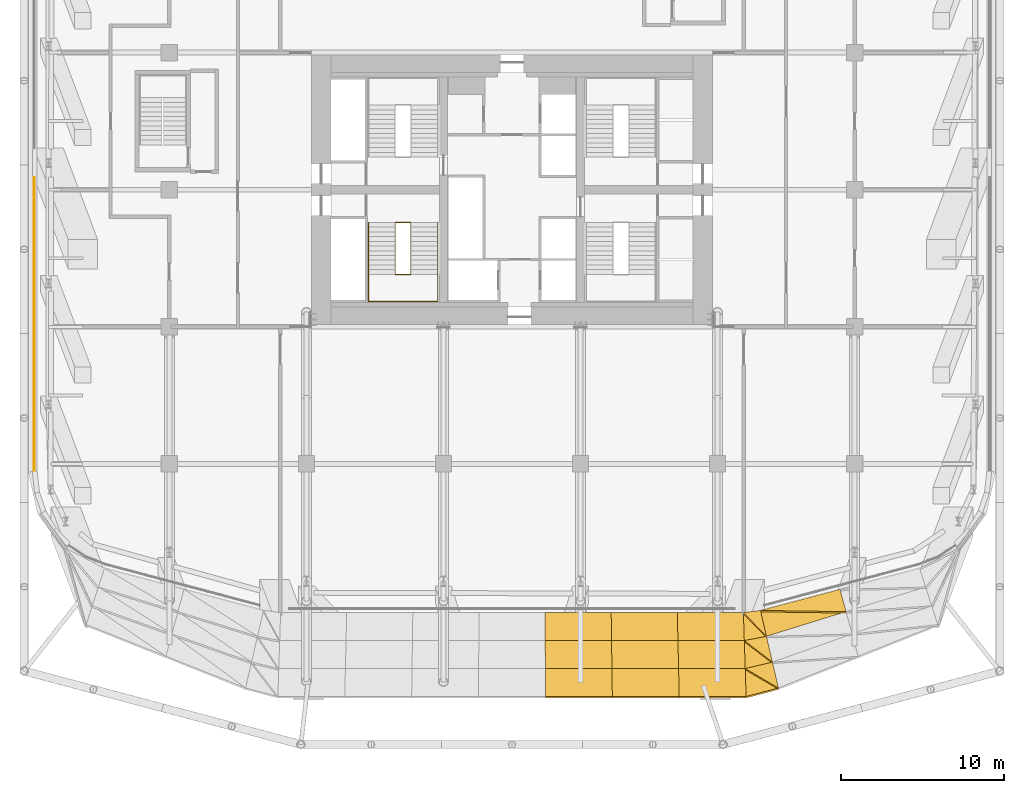
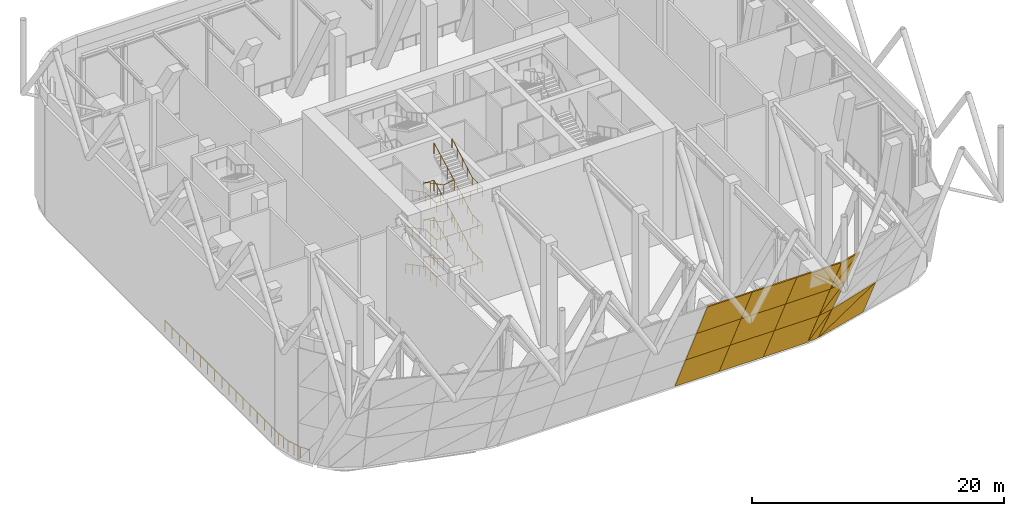
# One storey, part 15 of 19: 17 shading devices, 7 railings.
"""IFC4 building model written with IfcOpenShell, lengths in metres."""

from ifc_helpers import new_model, si_unit, direction, frame, origin, origin_2d, place, context, subcontext, project, spatial, polyline, circle, outline, extrude, material, layer, layer_set, type_object, element, save


model = new_model("IFC4")

# Units and contexts
model_context = context("Model", 3, precision=1e-05, world=origin(), true_north=direction((0.0, 1.0)))
body_context = subcontext(model_context, "Body", "Model", "MODEL_VIEW")
ifc_project = project(units=[si_unit("LENGTHUNIT", "METRE"), si_unit("AREAUNIT", "SQUARE_METRE"), si_unit("VOLUMEUNIT", "CUBIC_METRE"), si_unit("PLANEANGLEUNIT", "RADIAN"), si_unit("MASSUNIT", "GRAM", prefix="KILO")], contexts=[model_context])

# Site, building, storey
site_placement = place(None, origin())
site = spatial("IfcSite", under=ifc_project, at=site_placement, CompositionType="ELEMENT")
building_placement = place(site_placement, origin())
building = spatial("IfcBuilding", under=site, at=building_placement, Name="Marenta Gate Hotel Tower", CompositionType="ELEMENT")
storey_placement = place(building_placement, frame((0.0, 0.0, 86.89990234375)))
storey = spatial("IfcBuildingStorey", under=building, at=storey_placement, Name="L20", CompositionType="ELEMENT", Elevation=86.89990234375)

# Railings
ifc_material_1 = material(Name="Stainless steel", Category="steel")
railing_type_1 = type_object("IfcRailingType", Name="Core stair handrail 950", PredefinedType="HANDRAIL", material=ifc_material_1)
railing_1_placement = place(storey_placement, frame((-8.800048828125, 6.39990234375, 0.150146484375)))
element("IfcRailing", 1, at=railing_1_placement, inside=storey, type_object=railing_type_1, Name="HR-950 L20-KR-ST1-1", PredefinedType="HANDRAIL", context=body_context, shape_type="SweptSolid", body=[
    extrude(circle(Radius=0.02392578125, at=origin_2d()), frame((0.0, 0.0, 0.92578125), z_axis=(0.0, -0.888225295554, 0.459408123936), x_axis=(1.0, 0.0, 0.0)), (0.0, 0.0, 1.0), 3.59130859375),
    extrude(circle(Radius=0.02392578125, at=origin_2d()), frame((0.0, -3.18994140625, 2.57568359375), z_axis=(0.0, -1.0, 0.0), x_axis=(1.0, 0.0, 0.0)), (0.0, 0.0, 1.0), 1.659912109375),
    extrude(circle(Radius=0.02392578125, at=origin_2d()), frame((0.0, -4.849853515625, 2.57568359375), z_axis=(1.0, 0.0, 0.0), x_axis=(0.0, 1.0, 0.0)), (0.0, 0.0, 1.0), 4.25),
    extrude(circle(Radius=0.02392578125, at=origin_2d()), frame((4.25, -4.849853515625, 2.57568359375), z_axis=(0.0, 1.0, 0.0), x_axis=(-1.0, 0.0, 0.0)), (0.0, 0.0, 1.0), 1.659912109375),
    extrude(circle(Radius=0.02392578125, at=origin_2d()), frame((4.25, -3.18994140625, 2.57568359375), z_axis=(0.0, 0.87090897868, 0.491444351738), x_axis=(-1.0, 0.0, 0.0)), (0.0, 0.0, 1.0), 3.662841796875),
    extrude(circle(Radius=0.02099609375, at=origin_2d()), origin(), (0.0, 0.0, 1.0), 0.90185546875),
    extrude(circle(Radius=0.02099609375, at=origin_2d()), frame((0.0, -1.063232421875, 0.550048828125)), (0.0, 0.0, 1.0), 0.90185546875),
    extrude(circle(Radius=0.02099609375, at=origin_2d()), frame((0.0, -2.126708984375, 1.099853515625)), (0.0, 0.0, 1.0), 0.90185546875),
    extrude(circle(Radius=0.02099609375, at=origin_2d()), frame((0.0, -3.18994140625, 1.64990234375)), (0.0, 0.0, 1.0), 0.90185546875),
    extrude(circle(Radius=0.02099609375, at=origin_2d()), frame((0.0, -4.02001953125, 1.64990234375)), (0.0, 0.0, 1.0), 0.90185546875),
    extrude(circle(Radius=0.02099609375, at=origin_2d()), frame((0.0, -4.849853515625, 1.64990234375)), (0.0, 0.0, 1.0), 0.90185546875),
    extrude(circle(Radius=0.02099609375, at=origin_2d()), frame((1.0625, -4.849853515625, 1.64990234375)), (0.0, 0.0, 1.0), 0.90185546875),
    extrude(circle(Radius=0.02099609375, at=origin_2d()), frame((2.125, -4.849853515625, 1.64990234375)), (0.0, 0.0, 1.0), 0.90185546875),
    extrude(circle(Radius=0.02099609375, at=origin_2d()), frame((3.1875, -4.849853515625, 1.64990234375)), (0.0, 0.0, 1.0), 0.90185546875),
    extrude(circle(Radius=0.02099609375, at=origin_2d()), frame((4.25, -4.849853515625, 1.64990234375)), (0.0, 0.0, 1.0), 0.90185546875),
    extrude(circle(Radius=0.02099609375, at=origin_2d()), frame((4.25, -4.02001953125, 1.64990234375)), (0.0, 0.0, 1.0), 0.90185546875),
    extrude(circle(Radius=0.02099609375, at=origin_2d()), frame((4.25, -3.18994140625, 1.64990234375)), (0.0, 0.0, 1.0), 0.90185546875),
    extrude(circle(Radius=0.02099609375, at=origin_2d()), frame((4.25, -2.392578125, 2.099853515625)), (0.0, 0.0, 1.0), 0.90185546875),
    extrude(circle(Radius=0.02099609375, at=origin_2d()), frame((4.25, -1.594970703125, 2.5498046875)), (0.0, 0.0, 1.0), 0.90185546875),
    extrude(circle(Radius=0.02099609375, at=origin_2d()), frame((4.25, -0.79736328125, 3.0)), (0.0, 0.0, 1.0), 0.90185546875),
    extrude(circle(Radius=0.02099609375, at=origin_2d()), frame((4.25, 0.0, 3.449951171875)), (0.0, 0.0, 1.0), 0.90185546875),
])
railing_2_placement = place(storey_placement, frame((-8.800048828125, 6.39990234375, 3.75)))
element("IfcRailing", 2, at=railing_2_placement, inside=storey, type_object=railing_type_1, Name="HR-950 L20-KR-ST1-3", PredefinedType="HANDRAIL", context=body_context, shape_type="SweptSolid", body=[
    extrude(circle(Radius=0.02392578125, at=origin_2d()), frame((0.0, 0.0, 0.92578125), z_axis=(0.0, -0.888197555067, 0.459461753765), x_axis=(1.0, 0.0, 0.0)), (0.0, 0.0, 1.0), 3.591552734375),
    extrude(circle(Radius=0.02392578125, at=origin_2d()), frame((0.0, -3.18994140625, 2.576171875), z_axis=(0.0, -1.0, 0.0), x_axis=(1.0, 0.0, 0.0)), (0.0, 0.0, 1.0), 1.659912109375),
    extrude(circle(Radius=0.02392578125, at=origin_2d()), frame((0.0, -4.849853515625, 2.576171875), z_axis=(1.0, 0.0, 0.0), x_axis=(0.0, 1.0, 0.0)), (0.0, 0.0, 1.0), 4.25),
    extrude(circle(Radius=0.02392578125, at=origin_2d()), frame((4.25, -4.849853515625, 2.576171875), z_axis=(0.0, 1.0, 0.0), x_axis=(-1.0, 0.0, 0.0)), (0.0, 0.0, 1.0), 1.659912109375),
    extrude(circle(Radius=0.02392578125, at=origin_2d()), frame((4.25, -3.18994140625, 2.576171875), z_axis=(0.0, 0.87090897868, 0.491444351738), x_axis=(-1.0, 0.0, 0.0)), (0.0, 0.0, 1.0), 3.662841796875),
    extrude(circle(Radius=0.02099609375, at=origin_2d()), origin(), (0.0, 0.0, 1.0), 0.90185546875),
    extrude(circle(Radius=0.02099609375, at=origin_2d()), frame((0.0, -1.063232421875, 0.550048828125)), (0.0, 0.0, 1.0), 0.90185546875),
    extrude(circle(Radius=0.02099609375, at=origin_2d()), frame((0.0, -2.126708984375, 1.10009765625)), (0.0, 0.0, 1.0), 0.90185546875),
    extrude(circle(Radius=0.02099609375, at=origin_2d()), frame((0.0, -3.18994140625, 1.650146484375)), (0.0, 0.0, 1.0), 0.90185546875),
    extrude(circle(Radius=0.02099609375, at=origin_2d()), frame((0.0, -4.02001953125, 1.650146484375)), (0.0, 0.0, 1.0), 0.90185546875),
    extrude(circle(Radius=0.02099609375, at=origin_2d()), frame((0.0, -4.849853515625, 1.650146484375)), (0.0, 0.0, 1.0), 0.90185546875),
    extrude(circle(Radius=0.02099609375, at=origin_2d()), frame((1.0625, -4.849853515625, 1.650146484375)), (0.0, 0.0, 1.0), 0.90185546875),
    extrude(circle(Radius=0.02099609375, at=origin_2d()), frame((2.125, -4.849853515625, 1.650146484375)), (0.0, 0.0, 1.0), 0.90185546875),
    extrude(circle(Radius=0.02099609375, at=origin_2d()), frame((3.1875, -4.849853515625, 1.650146484375)), (0.0, 0.0, 1.0), 0.90185546875),
    extrude(circle(Radius=0.02099609375, at=origin_2d()), frame((4.25, -4.849853515625, 1.650146484375)), (0.0, 0.0, 1.0), 0.90185546875),
    extrude(circle(Radius=0.02099609375, at=origin_2d()), frame((4.25, -4.02001953125, 1.650146484375)), (0.0, 0.0, 1.0), 0.90185546875),
    extrude(circle(Radius=0.02099609375, at=origin_2d()), frame((4.25, -3.18994140625, 1.650146484375)), (0.0, 0.0, 1.0), 0.90185546875),
    extrude(circle(Radius=0.02099609375, at=origin_2d()), frame((4.25, -2.392578125, 2.10009765625)), (0.0, 0.0, 1.0), 0.90185546875),
    extrude(circle(Radius=0.02099609375, at=origin_2d()), frame((4.25, -1.594970703125, 2.55029296875)), (0.0, 0.0, 1.0), 0.90185546875),
    extrude(circle(Radius=0.02099609375, at=origin_2d()), frame((4.25, -0.79736328125, 3.000244140625)), (0.0, 0.0, 1.0), 0.90185546875),
    extrude(circle(Radius=0.02099609375, at=origin_2d()), frame((4.25, 0.0, 3.4501953125)), (0.0, 0.0, 1.0), 0.90185546875),
])
railing_3_placement = place(storey_placement, frame((-8.800048828125, 6.39990234375, 7.35009765625)))
element("IfcRailing", 3, at=railing_3_placement, inside=storey, type_object=railing_type_1, Name="HR-950 L20-KR-ST1-5", PredefinedType="HANDRAIL", context=body_context, shape_type="SweptSolid", body=[
    extrude(circle(Radius=0.02392578125, at=origin_2d()), frame((0.0, 0.0, 0.92578125), z_axis=(0.0, -0.888225295554, 0.459408123936), x_axis=(1.0, 0.0, 0.0)), (0.0, 0.0, 1.0), 3.59130859375),
    extrude(circle(Radius=0.02392578125, at=origin_2d()), frame((0.0, -3.18994140625, 2.57568359375), z_axis=(0.0, -1.0, 0.0), x_axis=(1.0, 0.0, 0.0)), (0.0, 0.0, 1.0), 1.659912109375),
    extrude(circle(Radius=0.02392578125, at=origin_2d()), frame((0.0, -4.849853515625, 2.57568359375), z_axis=(1.0, 0.0, 0.0), x_axis=(0.0, 1.0, 0.0)), (0.0, 0.0, 1.0), 4.25),
    extrude(circle(Radius=0.02392578125, at=origin_2d()), frame((4.25, -4.849853515625, 2.57568359375), z_axis=(0.0, 1.0, 0.0), x_axis=(-1.0, 0.0, 0.0)), (0.0, 0.0, 1.0), 1.659912109375),
    extrude(circle(Radius=0.02392578125, at=origin_2d()), frame((4.25, -3.18994140625, 2.57568359375), z_axis=(0.0, 0.87090897868, 0.491444351738), x_axis=(-1.0, 0.0, 0.0)), (0.0, 0.0, 1.0), 3.662841796875),
    extrude(circle(Radius=0.02099609375, at=origin_2d()), origin(), (0.0, 0.0, 1.0), 0.90185546875),
    extrude(circle(Radius=0.02099609375, at=origin_2d()), frame((0.0, -1.063232421875, 0.550048828125)), (0.0, 0.0, 1.0), 0.90185546875),
    extrude(circle(Radius=0.02099609375, at=origin_2d()), frame((0.0, -2.126708984375, 1.099853515625)), (0.0, 0.0, 1.0), 0.90185546875),
    extrude(circle(Radius=0.02099609375, at=origin_2d()), frame((0.0, -3.18994140625, 1.64990234375)), (0.0, 0.0, 1.0), 0.90185546875),
    extrude(circle(Radius=0.02099609375, at=origin_2d()), frame((0.0, -4.02001953125, 1.64990234375)), (0.0, 0.0, 1.0), 0.90185546875),
    extrude(circle(Radius=0.02099609375, at=origin_2d()), frame((0.0, -4.849853515625, 1.64990234375)), (0.0, 0.0, 1.0), 0.90185546875),
    extrude(circle(Radius=0.02099609375, at=origin_2d()), frame((1.0625, -4.849853515625, 1.64990234375)), (0.0, 0.0, 1.0), 0.90185546875),
    extrude(circle(Radius=0.02099609375, at=origin_2d()), frame((2.125, -4.849853515625, 1.64990234375)), (0.0, 0.0, 1.0), 0.90185546875),
    extrude(circle(Radius=0.02099609375, at=origin_2d()), frame((3.1875, -4.849853515625, 1.64990234375)), (0.0, 0.0, 1.0), 0.90185546875),
    extrude(circle(Radius=0.02099609375, at=origin_2d()), frame((4.25, -4.849853515625, 1.64990234375)), (0.0, 0.0, 1.0), 0.90185546875),
    extrude(circle(Radius=0.02099609375, at=origin_2d()), frame((4.25, -4.02001953125, 1.64990234375)), (0.0, 0.0, 1.0), 0.90185546875),
    extrude(circle(Radius=0.02099609375, at=origin_2d()), frame((4.25, -3.18994140625, 1.64990234375)), (0.0, 0.0, 1.0), 0.90185546875),
    extrude(circle(Radius=0.02099609375, at=origin_2d()), frame((4.25, -2.392578125, 2.099853515625)), (0.0, 0.0, 1.0), 0.90185546875),
    extrude(circle(Radius=0.02099609375, at=origin_2d()), frame((4.25, -1.594970703125, 2.5498046875)), (0.0, 0.0, 1.0), 0.90185546875),
    extrude(circle(Radius=0.02099609375, at=origin_2d()), frame((4.25, -0.79736328125, 3.0)), (0.0, 0.0, 1.0), 0.90185546875),
    extrude(circle(Radius=0.02099609375, at=origin_2d()), frame((4.25, 0.0, 3.449951171875)), (0.0, 0.0, 1.0), 0.90185546875),
])
ifc_material_2 = material(Name="Stainless steel", Category="steel")
railing_type_2 = type_object("IfcRailingType", Name="Core stair well guard 1100", PredefinedType="GUARDRAIL", material=ifc_material_2)
railing_4_placement = place(storey_placement, frame((-6.199951171875, 6.39990234375, 0.0)))
element("IfcRailing", 4, at=railing_4_placement, inside=storey, type_object=railing_type_2, Name="GR-1100 L20-KR-ST1-2", PredefinedType="GUARDRAIL", context=body_context, shape_type="SweptSolid", body=[
    extrude(circle(Radius=0.02392578125, at=origin_2d()), frame((0.0, 0.0, 1.076171875), z_axis=(-1.0, 0.0, 0.0), x_axis=(0.0, -1.0, 0.0)), (0.0, 0.0, 1.0), 0.949951171875),
    extrude(circle(Radius=0.02392578125, at=origin_2d()), frame((-0.949951171875, 0.0, 1.076171875), z_axis=(0.0, 0.0, 1.0), x_axis=(1.0, 0.0, 0.0)), (0.0, 0.0, 1.0), 0.150146484375),
    extrude(circle(Radius=0.02392578125, at=origin_2d()), frame((-0.949951171875, 0.0, 1.22607421875), z_axis=(0.0, -0.888225295554, 0.459408123936), x_axis=(1.0, 0.0, 0.0)), (0.0, 0.0, 1.0), 3.59130859375),
    extrude(circle(Radius=0.02392578125, at=origin_2d()), frame((-0.949951171875, -3.18994140625, 2.8759765625), z_axis=(0.987738253826, 0.0, 0.156118999255), x_axis=(0.0, 1.0, 0.0)), (0.0, 0.0, 1.0), 0.961669921875),
    extrude(circle(Radius=0.02392578125, at=origin_2d()), frame((0.0, -3.18994140625, 3.0263671875), z_axis=(0.0, 0.888225295554, 0.459408123936), x_axis=(-1.0, 0.0, 0.0)), (0.0, 0.0, 1.0), 3.59130859375),
    extrude(circle(Radius=0.02099609375, at=origin_2d()), origin(), (0.0, 0.0, 1.0), 1.052001953125),
    extrude(circle(Radius=0.02099609375, at=origin_2d()), frame((-0.949951171875, 0.0, 0.0)), (0.0, 0.0, 1.0), 1.052001953125),
    extrude(circle(Radius=0.02099609375, at=origin_2d()), frame((-0.949951171875, 0.0, 0.150146484375)), (0.0, 0.0, 1.0), 1.052001953125),
    extrude(circle(Radius=0.02099609375, at=origin_2d()), frame((-0.949951171875, -1.063232421875, 0.7001953125)), (0.0, 0.0, 1.0), 1.052001953125),
    extrude(circle(Radius=0.02099609375, at=origin_2d()), frame((-0.949951171875, -2.126708984375, 1.25)), (0.0, 0.0, 1.0), 1.052001953125),
    extrude(circle(Radius=0.02099609375, at=origin_2d()), frame((-0.949951171875, -3.18994140625, 1.800048828125)), (0.0, 0.0, 1.0), 1.052001953125),
    extrude(circle(Radius=0.02099609375, at=origin_2d()), frame((0.0, -3.18994140625, 1.9501953125)), (0.0, 0.0, 1.0), 1.052001953125),
    extrude(circle(Radius=0.02099609375, at=origin_2d()), frame((0.0, -2.126708984375, 2.500244140625)), (0.0, 0.0, 1.0), 1.052001953125),
    extrude(circle(Radius=0.02099609375, at=origin_2d()), frame((0.0, -1.063232421875, 3.050048828125)), (0.0, 0.0, 1.0), 1.052001953125),
    extrude(circle(Radius=0.02099609375, at=origin_2d()), frame((0.0, 0.0, 3.60009765625)), (0.0, 0.0, 1.0), 1.052001953125),
])
railing_5_placement = place(storey_placement, frame((-6.199951171875, 6.39990234375, 3.60009765625)))
element("IfcRailing", 5, at=railing_5_placement, inside=storey, type_object=railing_type_2, Name="GR-1100 L20-KR-ST1-4", PredefinedType="GUARDRAIL", context=body_context, shape_type="SweptSolid", body=[
    extrude(circle(Radius=0.02392578125, at=origin_2d()), frame((0.0, 0.0, 1.076171875), z_axis=(-1.0, 0.0, 0.0), x_axis=(0.0, -1.0, 0.0)), (0.0, 0.0, 1.0), 0.949951171875),
    extrude(circle(Radius=0.02392578125, at=origin_2d()), frame((-0.949951171875, 0.0, 1.076171875), z_axis=(0.0, 0.0, 1.0), x_axis=(1.0, 0.0, 0.0)), (0.0, 0.0, 1.0), 0.14990234375),
    extrude(circle(Radius=0.02392578125, at=origin_2d()), frame((-0.949951171875, 0.0, 1.22607421875), z_axis=(0.0, -0.888197555067, 0.459461753765), x_axis=(1.0, 0.0, 0.0)), (0.0, 0.0, 1.0), 3.591552734375),
    extrude(circle(Radius=0.02392578125, at=origin_2d()), frame((-0.949951171875, -3.18994140625, 2.8759765625), z_axis=(0.987777369502, 0.0, 0.15587131968), x_axis=(0.0, 1.0, 0.0)), (0.0, 0.0, 1.0), 0.961669921875),
    extrude(circle(Radius=0.02392578125, at=origin_2d()), frame((0.0, -3.18994140625, 3.02587890625), z_axis=(0.0, 0.888197555067, 0.459461753765), x_axis=(-1.0, 0.0, 0.0)), (0.0, 0.0, 1.0), 3.591552734375),
    extrude(circle(Radius=0.02099609375, at=origin_2d()), origin(), (0.0, 0.0, 1.0), 1.052001953125),
    extrude(circle(Radius=0.02099609375, at=origin_2d()), frame((-0.949951171875, 0.0, 0.0)), (0.0, 0.0, 1.0), 1.052001953125),
    extrude(circle(Radius=0.02099609375, at=origin_2d()), frame((-0.949951171875, 0.0, 0.14990234375)), (0.0, 0.0, 1.0), 1.052001953125),
    extrude(circle(Radius=0.02099609375, at=origin_2d()), frame((-0.949951171875, -1.063232421875, 0.699951171875)), (0.0, 0.0, 1.0), 1.052001953125),
    extrude(circle(Radius=0.02099609375, at=origin_2d()), frame((-0.949951171875, -2.126708984375, 1.25)), (0.0, 0.0, 1.0), 1.052001953125),
    extrude(circle(Radius=0.02099609375, at=origin_2d()), frame((-0.949951171875, -3.18994140625, 1.800048828125)), (0.0, 0.0, 1.0), 1.052001953125),
    extrude(circle(Radius=0.02099609375, at=origin_2d()), frame((0.0, -3.18994140625, 1.949951171875)), (0.0, 0.0, 1.0), 1.052001953125),
    extrude(circle(Radius=0.02099609375, at=origin_2d()), frame((0.0, -2.126708984375, 2.5)), (0.0, 0.0, 1.0), 1.052001953125),
    extrude(circle(Radius=0.02099609375, at=origin_2d()), frame((0.0, -1.063232421875, 3.050048828125)), (0.0, 0.0, 1.0), 1.052001953125),
    extrude(circle(Radius=0.02099609375, at=origin_2d()), frame((0.0, 0.0, 3.60009765625)), (0.0, 0.0, 1.0), 1.052001953125),
])
railing_6_placement = place(storey_placement, frame((-6.199951171875, 6.39990234375, 7.2001953125)))
element("IfcRailing", 6, at=railing_6_placement, inside=storey, type_object=railing_type_2, Name="GR-1100 L20-KR-ST1-6", PredefinedType="GUARDRAIL", context=body_context, shape_type="SweptSolid", body=[
    extrude(circle(Radius=0.02392578125, at=origin_2d()), frame((0.0, 0.0, 1.076171875), z_axis=(-1.0, 0.0, 0.0), x_axis=(0.0, -1.0, 0.0)), (0.0, 0.0, 1.0), 0.949951171875),
    extrude(circle(Radius=0.02392578125, at=origin_2d()), frame((-0.949951171875, 0.0, 1.076171875), z_axis=(0.0, 0.0, 1.0), x_axis=(1.0, 0.0, 0.0)), (0.0, 0.0, 1.0), 0.14990234375),
    extrude(circle(Radius=0.02392578125, at=origin_2d()), frame((-0.949951171875, 0.0, 1.22607421875), z_axis=(0.0, -0.888225295554, 0.459408123936), x_axis=(1.0, 0.0, 0.0)), (0.0, 0.0, 1.0), 3.59130859375),
    extrude(circle(Radius=0.02392578125, at=origin_2d()), frame((-0.949951171875, -3.18994140625, 2.8759765625), z_axis=(0.987738253826, 0.0, 0.156118999255), x_axis=(0.0, 1.0, 0.0)), (0.0, 0.0, 1.0), 0.961669921875),
    extrude(circle(Radius=0.02392578125, at=origin_2d()), frame((0.0, -3.18994140625, 3.02587890625), z_axis=(0.0, 0.888225295554, 0.459408123936), x_axis=(-1.0, 0.0, 0.0)), (0.0, 0.0, 1.0), 3.59130859375),
    extrude(circle(Radius=0.02099609375, at=origin_2d()), origin(), (0.0, 0.0, 1.0), 1.052001953125),
    extrude(circle(Radius=0.02099609375, at=origin_2d()), frame((-0.949951171875, 0.0, 0.0)), (0.0, 0.0, 1.0), 1.052001953125),
    extrude(circle(Radius=0.02099609375, at=origin_2d()), frame((-0.949951171875, 0.0, 0.14990234375)), (0.0, 0.0, 1.0), 1.052001953125),
    extrude(circle(Radius=0.02099609375, at=origin_2d()), frame((-0.949951171875, -1.063232421875, 0.699951171875)), (0.0, 0.0, 1.0), 1.052001953125),
    extrude(circle(Radius=0.02099609375, at=origin_2d()), frame((-0.949951171875, -2.126708984375, 1.249755859375)), (0.0, 0.0, 1.0), 1.052001953125),
    extrude(circle(Radius=0.02099609375, at=origin_2d()), frame((-0.949951171875, -3.18994140625, 1.7998046875)), (0.0, 0.0, 1.0), 1.052001953125),
    extrude(circle(Radius=0.02099609375, at=origin_2d()), frame((0.0, -3.18994140625, 1.949951171875)), (0.0, 0.0, 1.0), 1.052001953125),
    extrude(circle(Radius=0.02099609375, at=origin_2d()), frame((0.0, -2.126708984375, 2.5)), (0.0, 0.0, 1.0), 1.052001953125),
    extrude(circle(Radius=0.02099609375, at=origin_2d()), frame((0.0, -1.063232421875, 3.0498046875)), (0.0, 0.0, 1.0), 1.052001953125),
    extrude(circle(Radius=0.02099609375, at=origin_2d()), frame((0.0, 0.0, 3.599853515625)), (0.0, 0.0, 1.0), 1.052001953125),
])
ifc_material_3 = material(Name="Stainless steel", Category="steel")
railing_type_3 = type_object("IfcRailingType", Name="Guard 1100 stainless balustrade", PredefinedType="GUARDRAIL", material=ifc_material_3)
railing_7_placement = place(storey_placement, frame((-28.282958984375, -12.102294921875, 0.0)))
element("IfcRailing", 7, at=railing_7_placement, inside=storey, type_object=railing_type_3, Name="Guard", PredefinedType="GUARDRAIL", context=body_context, shape_type="SweptSolid", body=[
    extrude(circle(Radius=0.02392578125, at=origin_2d()), frame((0.0, 0.0, 1.076171875), z_axis=(-0.519620123596, 0.854397405868, 0.0), x_axis=(-0.854397405868, -0.519620123596, 0.0)), (0.0, 0.0, 1.0), 0.853271484375),
    extrude(circle(Radius=0.02392578125, at=origin_2d()), frame((-0.443359375, 0.72900390625, 1.076171875), z_axis=(-0.322104084184, 0.946704261611, 0.0), x_axis=(-0.946704261611, -0.322104084184, 0.0)), (0.0, 0.0, 1.0), 1.282470703125),
    extrude(circle(Radius=0.02392578125, at=origin_2d()), frame((-0.8564453125, 1.943115234375, 1.076171875), z_axis=(-0.109080390249, 0.994032931277, 0.0), x_axis=(-0.994032931277, -0.109080390249, 0.0)), (0.0, 0.0, 1.0), 1.289306640625),
    extrude(circle(Radius=0.02392578125, at=origin_2d()), frame((-0.9970703125, 3.224609375, 1.076171875), z_axis=(0.0, 1.0, 0.0), x_axis=(-1.0, 0.0, 0.0)), (0.0, 0.0, 1.0), 18.007568359375),
    extrude(circle(Radius=0.02099609375, at=origin_2d()), origin(), (0.0, 0.0, 1.0), 1.052001953125),
    extrude(circle(Radius=0.02099609375, at=origin_2d()), frame((-0.443359375, 0.72900390625, 0.0)), (0.0, 0.0, 1.0), 1.052001953125),
    extrude(circle(Radius=0.02099609375, at=origin_2d()), frame((-0.64990234375, 1.3359375, 0.0)), (0.0, 0.0, 1.0), 1.052001953125),
    extrude(circle(Radius=0.02099609375, at=origin_2d()), frame((-0.8564453125, 1.943115234375, 0.0)), (0.0, 0.0, 1.0), 1.052001953125),
    extrude(circle(Radius=0.02099609375, at=origin_2d()), frame((-0.9267578125, 2.583984375, 0.0)), (0.0, 0.0, 1.0), 1.052001953125),
    extrude(circle(Radius=0.02099609375, at=origin_2d()), frame((-0.9970703125, 3.224609375, 0.0)), (0.0, 0.0, 1.0), 1.052001953125),
    extrude(circle(Radius=0.02099609375, at=origin_2d()), frame((-0.9970703125, 4.35009765625, 0.0)), (0.0, 0.0, 1.0), 1.052001953125),
    extrude(circle(Radius=0.02099609375, at=origin_2d()), frame((-0.9970703125, 5.4755859375, 0.0)), (0.0, 0.0, 1.0), 1.052001953125),
    extrude(circle(Radius=0.02099609375, at=origin_2d()), frame((-0.9970703125, 6.60107421875, 0.0)), (0.0, 0.0, 1.0), 1.052001953125),
    extrude(circle(Radius=0.02099609375, at=origin_2d()), frame((-0.9970703125, 7.7265625, 0.0)), (0.0, 0.0, 1.0), 1.052001953125),
    extrude(circle(Radius=0.02099609375, at=origin_2d()), frame((-0.9970703125, 8.85205078125, 0.0)), (0.0, 0.0, 1.0), 1.052001953125),
    extrude(circle(Radius=0.02099609375, at=origin_2d()), frame((-0.9970703125, 9.9775390625, 0.0)), (0.0, 0.0, 1.0), 1.052001953125),
    extrude(circle(Radius=0.02099609375, at=origin_2d()), frame((-0.9970703125, 11.10302734375, 0.0)), (0.0, 0.0, 1.0), 1.052001953125),
    extrude(circle(Radius=0.02099609375, at=origin_2d()), frame((-0.9970703125, 12.228515625, 0.0)), (0.0, 0.0, 1.0), 1.052001953125),
    extrude(circle(Radius=0.02099609375, at=origin_2d()), frame((-0.9970703125, 13.353759765625, 0.0)), (0.0, 0.0, 1.0), 1.052001953125),
    extrude(circle(Radius=0.02099609375, at=origin_2d()), frame((-0.9970703125, 14.479248046875, 0.0)), (0.0, 0.0, 1.0), 1.052001953125),
    extrude(circle(Radius=0.02099609375, at=origin_2d()), frame((-0.9970703125, 15.604736328125, 0.0)), (0.0, 0.0, 1.0), 1.052001953125),
    extrude(circle(Radius=0.02099609375, at=origin_2d()), frame((-0.9970703125, 16.730224609375, 0.0)), (0.0, 0.0, 1.0), 1.052001953125),
    extrude(circle(Radius=0.02099609375, at=origin_2d()), frame((-0.9970703125, 17.855712890625, 0.0)), (0.0, 0.0, 1.0), 1.052001953125),
    extrude(circle(Radius=0.02099609375, at=origin_2d()), frame((-0.9970703125, 18.981201171875, 0.0)), (0.0, 0.0, 1.0), 1.052001953125),
    extrude(circle(Radius=0.02099609375, at=origin_2d()), frame((-0.9970703125, 20.106689453125, 0.0)), (0.0, 0.0, 1.0), 1.052001953125),
    extrude(circle(Radius=0.02099609375, at=origin_2d()), frame((-0.9970703125, 21.232177734375, 0.0)), (0.0, 0.0, 1.0), 1.052001953125),
])

# Shading devices
ifc_material_4 = material(Name="Bronze anodised aluminium louvre", Category="aluminium")
ifc_layer = layer(ifc_material_4, 0.10009765625)
ifc_layer_set = layer_set([ifc_layer], Name="Bronze anodised aluminium louvre")
shading_device_type = type_object("IfcShadingDeviceType", Name="Louvre blade 100 mm inclined", PredefinedType="JALOUSIE", material=ifc_layer_set)
shading_device_1_placement = place(storey_placement, frame((2.02587890625, -17.52001953125, 0.0), z_axis=(0.0, 0.903048341594, 0.429538930418), x_axis=(1.0, 0.0, 0.0)))
element("IfcShadingDevice", 8, at=shading_device_1_placement, inside=storey, type_object=shading_device_type, Name="Louvre blade", PredefinedType="JALOUSIE", context=body_context, shape_type="SweptSolid", body=[
    extrude(outline(polyline([(0.0, 0.0), (4.05224609375, 0.0), (4.075927734375, -3.9866056892320354), (0.008056640625, -3.9866056892320354), (0.0, 0.0)])), origin(), (0.0, 0.0, -1.0), 0.10009765625),
])
shading_device_2_placement = place(storey_placement, frame((2.033935546875, -19.232421875, 3.60009765625), z_axis=(0.0, 0.903072095579, 0.429488987271), x_axis=(1.0, 0.0, 0.0)))
element("IfcShadingDevice", 9, at=shading_device_2_placement, inside=storey, type_object=shading_device_type, Name="Louvre blade", PredefinedType="JALOUSIE", context=body_context, shape_type="SweptSolid", body=[
    extrude(outline(polyline([(0.0, 0.0), (4.06787109375, 0.0), (4.091796875, -3.9865008274255973), (0.008056640625, -3.9865008274255973), (0.0, 0.0)])), origin(), (0.0, 0.0, -1.0), 0.10009765625),
])
shading_device_3_placement = place(storey_placement, frame((2.0419921875, -20.944580078125, 7.2001953125), z_axis=(0.0, 0.903037041609, 0.429562686324), x_axis=(1.0, 0.0, 0.0)))
element("IfcShadingDevice", 10, at=shading_device_3_placement, inside=storey, type_object=shading_device_type, Name="Louvre blade", PredefinedType="JALOUSIE", context=body_context, shape_type="SweptSolid", body=[
    extrude(outline(polyline([(0.0, 0.0), (4.083740234375, 0.0), (4.107666015625, -3.986385219824868), (0.0078125, -3.986385219824868), (0.0, 0.0)])), origin(), (0.0, 0.0, -1.0), 0.10009765625),
])
shading_device_4_placement = place(storey_placement, frame((6.078125, -17.52001953125, 0.0), z_axis=(0.0, 0.903048341594, 0.429538930418), x_axis=(1.0, 0.0, 0.0)))
element("IfcShadingDevice", 11, at=shading_device_4_placement, inside=storey, type_object=shading_device_type, Name="Louvre blade", PredefinedType="JALOUSIE", context=body_context, shape_type="SweptSolid", body=[
    extrude(outline(polyline([(0.0, 0.0), (4.052001953125, 0.0), (4.091796875, -3.9866056892320354), (0.023681640625, -3.9866056892320354), (0.0, 0.0)])), origin(), (0.0, 0.0, -1.0), 0.10009765625),
])
shading_device_5_placement = place(storey_placement, frame((6.101806640625, -19.232421875, 3.60009765625), z_axis=(0.0, 0.903072095579, 0.429488987271), x_axis=(1.0, 0.0, 0.0)))
element("IfcShadingDevice", 12, at=shading_device_5_placement, inside=storey, type_object=shading_device_type, Name="Louvre blade", PredefinedType="JALOUSIE", context=body_context, shape_type="SweptSolid", body=[
    extrude(outline(polyline([(0.0, 0.0), (4.068115234375, 0.0), (4.10791015625, -3.9865008274255977), (0.02392578125, -3.9865008274255977), (0.0, 0.0)])), origin(), (0.0, 0.0, -1.0), 0.10009765625),
])
shading_device_6_placement = place(storey_placement, frame((6.125732421875, -20.944580078125, 7.2001953125), z_axis=(0.0, 0.903037041609, 0.429562686324), x_axis=(1.0, 0.0, 0.0)))
element("IfcShadingDevice", 13, at=shading_device_6_placement, inside=storey, type_object=shading_device_type, Name="Louvre blade", PredefinedType="JALOUSIE", context=body_context, shape_type="SweptSolid", body=[
    extrude(outline(polyline([(0.0, 0.0), (4.083984375, 0.0), (4.12353515625, -3.986385219824868), (0.02392578125, -3.986385219824868), (0.0, 0.0)])), origin(), (0.0, 0.0, -1.0), 0.10009765625),
])
shading_device_7_placement = place(storey_placement, frame((10.130126953125, -17.52001953125, 0.0), z_axis=(0.0, 0.903048341594, 0.429538930418), x_axis=(1.0, 0.0, 0.0)))
element("IfcShadingDevice", 14, at=shading_device_7_placement, inside=storey, type_object=shading_device_type, Name="Louvre blade", PredefinedType="JALOUSIE", context=body_context, shape_type="SweptSolid", body=[
    extrude(outline(polyline([(0.0, 0.0), (4.05224609375, 0.0), (4.107666015625, -3.9866056892320354), (0.039794921875, -3.9866056892320354), (0.0, 0.0)])), origin(), (0.0, 0.0, -1.0), 0.10009765625),
])
shading_device_8_placement = place(storey_placement, frame((10.169921875, -19.232421875, 3.60009765625), z_axis=(0.0, 0.903072095579, 0.429488987271), x_axis=(1.0, 0.0, 0.0)))
element("IfcShadingDevice", 15, at=shading_device_8_placement, inside=storey, type_object=shading_device_type, Name="Louvre blade", PredefinedType="JALOUSIE", context=body_context, shape_type="SweptSolid", body=[
    extrude(outline(polyline([(0.0, 0.0), (4.06787109375, 0.0), (4.12353515625, -3.9865008274255973), (0.039794921875, -3.9865008274255973), (0.0, 0.0)])), origin(), (0.0, 0.0, -1.0), 0.10009765625),
])
shading_device_9_placement = place(storey_placement, frame((10.209716796875, -20.944580078125, 7.2001953125), z_axis=(0.0, 0.903037041609, 0.429562686324), x_axis=(1.0, 0.0, 0.0)))
element("IfcShadingDevice", 16, at=shading_device_9_placement, inside=storey, type_object=shading_device_type, Name="Louvre blade", PredefinedType="JALOUSIE", context=body_context, shape_type="SweptSolid", body=[
    extrude(outline(polyline([(0.0, 0.0), (4.083740234375, 0.0), (4.139404296875, -3.986385219824868), (0.03955078125, -3.986385219824868), (0.0, 0.0)])), origin(), (0.0, 0.0, -1.0), 0.10009765625),
])
shading_device_10_placement = place(storey_placement, frame((14.182373046875, -17.52001953125, 0.0), z_axis=(-0.118107173065, 0.904435678232, 0.409935116345), x_axis=(0.991581094055, 0.129487195942, 0.0)))
element("IfcShadingDevice", 17, at=shading_device_10_placement, inside=storey, type_object=shading_device_type, Name="Louvre blade", PredefinedType="JALOUSIE", context=body_context, shape_type="SweptSolid", body=[
    extrude(outline(polyline([(0.0, 0.0), (1.0577330803181733, -6.938893903907228e-18), (1.2152710567892777, -3.94697915905884), (0.0, 0.0)])), origin(), (0.0, 0.0, -1.0), 0.10009765625),
])
shading_device_11_placement = place(storey_placement, frame((14.182373046875, -17.52001953125, 0.0), z_axis=(-0.173451748164, 0.888321878589, 0.425204340381), x_axis=(0.342520016049, -0.350382487939, 0.871729402253)))
element("IfcShadingDevice", 18, at=shading_device_11_placement, inside=storey, type_object=shading_device_type, Name="Louvre blade", PredefinedType="JALOUSIE", context=body_context, shape_type="SweptSolid", body=[
    extrude(outline(polyline([(0.0, 0.0), (4.129833922025746, -2.220446049250313e-16), (3.757289204019826, -1.3337444007432344), (0.0, 0.0)])), origin(), (0.0, 0.0, -1.0), 0.10009765625),
])
shading_device_12_placement = place(storey_placement, frame((14.23779296875, -19.232421875, 3.60009765625), z_axis=(-0.174674643038, 0.894584855376, 0.411347426892), x_axis=(0.981465527721, 0.191638769289, 0.0)))
element("IfcShadingDevice", 19, at=shading_device_12_placement, inside=storey, type_object=shading_device_type, Name="Louvre blade", PredefinedType="JALOUSIE", context=body_context, shape_type="SweptSolid", body=[
    extrude(outline(polyline([(0.0, 0.0), (1.3847973474223727, 1.3877787807814457e-17), (1.440188711040072, -3.9497334711233383), (0.0, 0.0)])), origin(), (0.0, 0.0, -1.0), 0.10009765625),
])
shading_device_13_placement = place(storey_placement, frame((14.23779296875, -19.232421875, 3.60009765625), z_axis=(-0.207972074285, 0.88207510663, 0.422718727501), x_axis=(0.410277955607, -0.313646318222, 0.856328200055)))
element("IfcShadingDevice", 20, at=shading_device_13_placement, inside=storey, type_object=shading_device_type, Name="Louvre blade", PredefinedType="JALOUSIE", context=body_context, shape_type="SweptSolid", body=[
    extrude(outline(polyline([(0.0, 0.0), (4.20410965797983, 2.220446049250313e-16), (3.64271500038359, -1.6204674513545037), (0.0, 0.0)])), origin(), (0.0, 0.0, -1.0), 0.10009765625),
])
shading_device_14_placement = place(storey_placement, frame((14.29345703125, -20.944580078125, 7.2001953125), z_axis=(-0.209146862898, 0.887057755355, 0.411565460655), x_axis=(0.973312514298, 0.229483658483, 0.0)))
element("IfcShadingDevice", 21, at=shading_device_14_placement, inside=storey, type_object=shading_device_type, Name="Louvre blade", PredefinedType="JALOUSIE", context=body_context, shape_type="SweptSolid", body=[
    extrude(outline(polyline([(0.0, 0.0), (1.7149573529615714, 0.0), (1.7074212616970688, -3.949892163442544), (0.0, 0.0)])), origin(), (0.0, 0.0, -1.0), 0.10009765625),
])
shading_device_15_placement = place(storey_placement, frame((14.29345703125, -20.944580078125, 7.2001953125), z_axis=(-0.23132469862, 0.877151230921, 0.420826094606), x_axis=(0.472891055553, -0.276642685888, 0.836566120472)))
element("IfcShadingDevice", 22, at=shading_device_15_placement, inside=storey, type_object=shading_device_type, Name="Louvre blade", PredefinedType="JALOUSIE", context=body_context, shape_type="SweptSolid", body=[
    extrude(outline(polyline([(0.0, 0.0), (4.303130891306937, 0.0), (3.5115621108032617, -1.887669767375403), (0.0, 0.0)])), origin(), (0.0, 0.0, -1.0), 0.10009765625),
])
shading_device_16_placement = place(storey_placement, frame((15.231201171875, -17.383056640625, 0.0), z_axis=(-0.23864005768, 0.899440912392, 0.366137908425), x_axis=(0.966558127958, 0.256447626774, 0.0)))
element("IfcShadingDevice", 23, at=shading_device_16_placement, inside=storey, type_object=shading_device_type, Name="Louvre blade", PredefinedType="JALOUSIE", context=body_context, shape_type="SweptSolid", body=[
    extrude(outline(polyline([(0.0, 0.0), (5.040891294782552, 1.1102230246251565e-16), (5.047484519432148, -3.8687406845178205), (0.0, 0.0)])), origin(), (0.0, 0.0, -1.0), 0.10009765625),
])
shading_device_17_placement = place(storey_placement, frame((15.231201171875, -17.383056640625, 0.0), z_axis=(-0.269600490039, 0.871033741112, 0.4106285397), x_axis=(0.824259396757, -0.011747164799, 0.566090497162)))
element("IfcShadingDevice", 24, at=shading_device_17_placement, inside=storey, type_object=shading_device_type, Name="Louvre blade", PredefinedType="JALOUSIE", context=body_context, shape_type="SweptSolid", body=[
    extrude(outline(polyline([(0.0, 0.0), (6.359579739098377, 4.440892098500626e-16), (2.358038733573315, -3.1690875701127914), (0.0, 0.0)])), origin(), (0.0, 0.0, -1.0), 0.10009765625),
])

save(model, "model.ifc")
